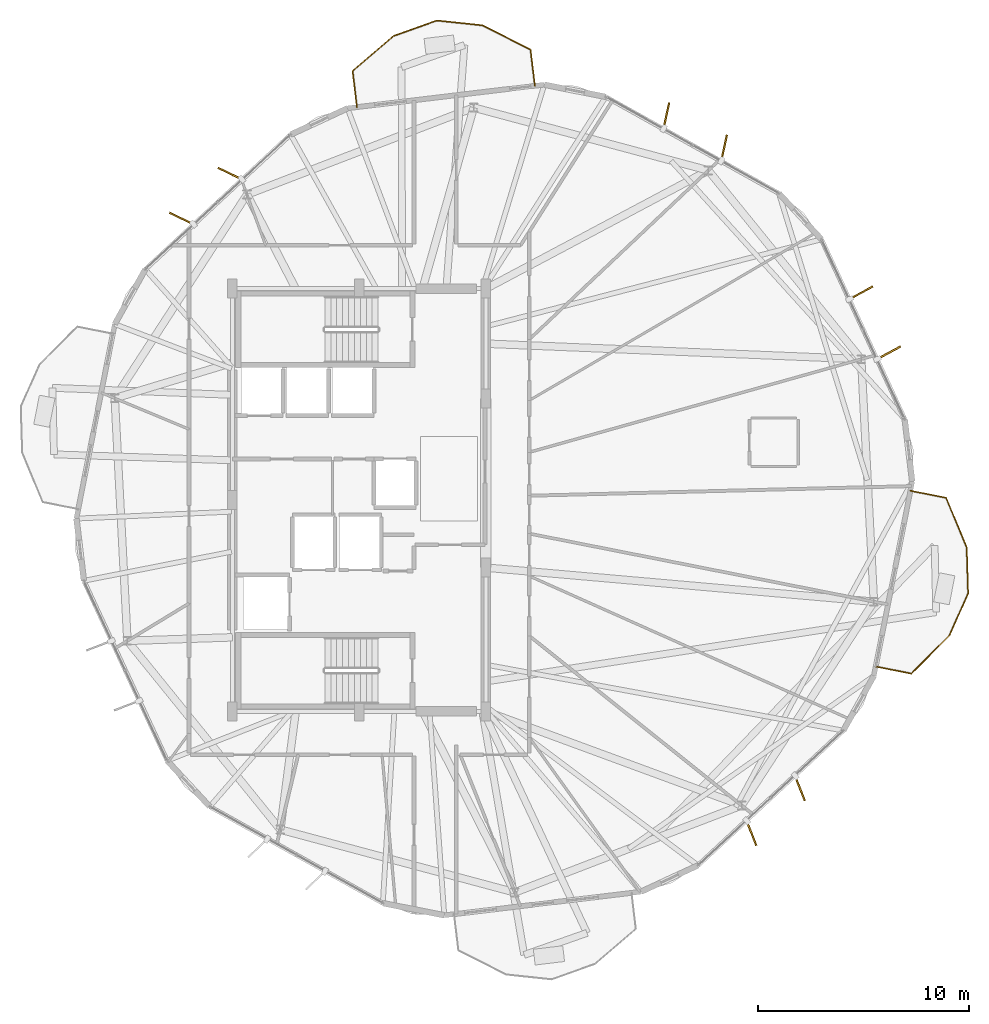
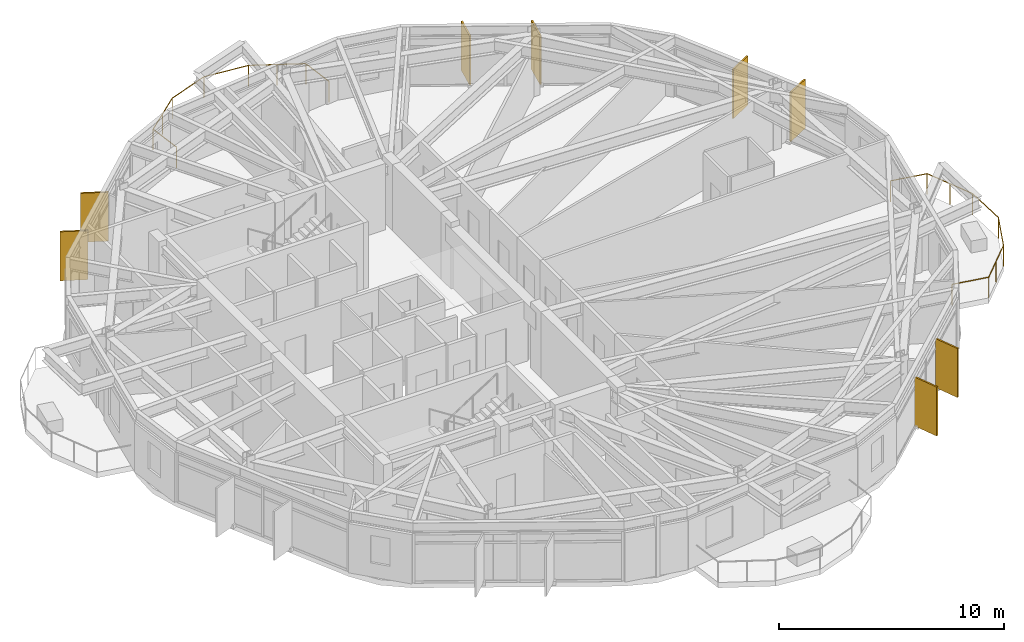
# One storey, part 25 of 25: 8 shading devices, 2 railings.
"""IFC4 building model written with IfcOpenShell, lengths in metres."""

from ifc_helpers import new_model, si_unit, direction, frame, origin, origin_2d, place, context, subcontext, project, spatial, rectangle, circle, extrude, material, layer, layer_set, type_object, element, save


model = new_model("IFC4")

# Units and contexts
model_context = context("Model", 3, precision=1e-05, world=origin(), true_north=direction((0.0, 1.0)))
body_context = subcontext(model_context, "Body", "Model", "MODEL_VIEW")
ifc_project = project(units=[si_unit("LENGTHUNIT", "METRE"), si_unit("AREAUNIT", "SQUARE_METRE"), si_unit("VOLUMEUNIT", "CUBIC_METRE"), si_unit("PLANEANGLEUNIT", "RADIAN"), si_unit("MASSUNIT", "GRAM", prefix="KILO")], contexts=[model_context])

# Site, building, storey
site_placement = place(None, origin())
site = spatial("IfcSite", under=ifc_project, at=site_placement, CompositionType="ELEMENT")
building_placement = place(site_placement, origin())
building = spatial("IfcBuilding", under=site, at=building_placement, Name="Soratama Intermodal Tower", CompositionType="ELEMENT")
storey_placement = place(building_placement, frame((0.0, 0.0, 190.60009765625)))
storey = spatial("IfcBuildingStorey", under=building, at=storey_placement, Name="L47", CompositionType="ELEMENT", Elevation=190.60009765625)

# Railings
ifc_material_1 = material(Name="Laminated glass and stainless steel balustrade", Category="steel")
railing_type = type_object("IfcRailingType", Name="RL-BAL-1150", PredefinedType="BALUSTRADE", material=ifc_material_1)
railing_1_placement = place(storey_placement, frame((64.69482421875, 25.4375, 0.0)))
element("IfcRailing", 1, at=railing_1_placement, inside=storey, type_object=railing_type, Name="L47 Balcony Balustrade 1", PredefinedType="BALUSTRADE", context=body_context, shape_type="SweptSolid", body=[
    extrude(circle(Radius=0.02392578125, at=origin_2d()), frame((0.0, 0.0, 1.1259765625), z_axis=(0.981079704453, -0.193604270381, 0.0), x_axis=(0.193604270381, 0.981079704453, 0.0)), (0.0, 0.0, 1.0), 1.719970703125),
    extrude(circle(Radius=0.02392578125, at=origin_2d()), frame((1.6875, -0.3330078125, 1.1259765625), z_axis=(0.383642767402, -0.923481579145, 0.0), x_axis=(0.923481579145, 0.383642767402, 0.0)), (0.0, 0.0, 1.0), 2.54931640625),
    extrude(circle(Radius=0.02392578125, at=origin_2d()), frame((2.66552734375, -2.687255859375, 1.1259765625), z_axis=(0.029966325248, -0.999550908834, 0.0), x_axis=(0.999550908834, 0.029966325248, 0.0)), (0.0, 0.0, 1.0), 2.17529296875),
    extrude(circle(Radius=0.02392578125, at=origin_2d()), frame((2.730712890625, -4.861572265625, 1.1259765625), z_axis=(-0.407408513324, -0.913246025598, 0.0), x_axis=(0.913246025598, -0.407408513324, 0.0)), (0.0, 0.0, 1.0), 2.17529296875),
    extrude(circle(Radius=0.02392578125, at=origin_2d()), frame((1.844482421875, -6.84814453125, 1.1259765625), z_axis=(-0.705572932401, -0.708637309957, 0.0), x_axis=(0.708637309957, -0.705572932401, 0.0)), (0.0, 0.0, 1.0), 2.549560546875),
    extrude(circle(Radius=0.02392578125, at=origin_2d()), frame((0.045654296875, -8.65478515625, 1.1259765625), z_axis=(-0.981079704453, 0.193604270381, 0.0), x_axis=(-0.193604270381, -0.981079704453, 0.0)), (0.0, 0.0, 1.0), 1.719970703125),
    extrude(circle(Radius=0.02099609375, at=origin_2d()), origin(), (0.0, 0.0, 1.0), 1.101806640625),
    extrude(circle(Radius=0.02099609375, at=origin_2d()), frame((1.6875, -0.3330078125, 0.0)), (0.0, 0.0, 1.0), 1.101806640625),
    extrude(circle(Radius=0.02099609375, at=origin_2d()), frame((2.176513671875, -1.51025390625, 0.0)), (0.0, 0.0, 1.0), 1.101806640625),
    extrude(circle(Radius=0.02099609375, at=origin_2d()), frame((2.66552734375, -2.687255859375, 0.0)), (0.0, 0.0, 1.0), 1.101806640625),
    extrude(circle(Radius=0.02099609375, at=origin_2d()), frame((2.730712890625, -4.861572265625, 0.0)), (0.0, 0.0, 1.0), 1.101806640625),
    extrude(circle(Radius=0.02099609375, at=origin_2d()), frame((1.844482421875, -6.84814453125, 0.0)), (0.0, 0.0, 1.0), 1.101806640625),
    extrude(circle(Radius=0.02099609375, at=origin_2d()), frame((0.945068359375, -7.75146484375, 0.0)), (0.0, 0.0, 1.0), 1.101806640625),
    extrude(circle(Radius=0.02099609375, at=origin_2d()), frame((0.045654296875, -8.65478515625, 0.0)), (0.0, 0.0, 1.0), 1.101806640625),
    extrude(circle(Radius=0.02099609375, at=origin_2d()), frame((-1.641845703125, -8.32177734375, 0.0)), (0.0, 0.0, 1.0), 1.101806640625),
])
railing_2_placement = place(storey_placement, frame((38.497802734375, 43.595703125, 0.0)))
element("IfcRailing", 2, at=railing_2_placement, inside=storey, type_object=railing_type, Name="L47 Balcony Balustrade 2", PredefinedType="BALUSTRADE", context=body_context, shape_type="SweptSolid", body=[
    extrude(circle(Radius=0.02392578125, at=origin_2d()), frame((0.0, 0.0, 1.1259765625), z_axis=(-0.11908924965, 0.992883553403, 0.0), x_axis=(-0.992883553403, -0.11908924965, 0.0)), (0.0, 0.0, 1.0), 1.719970703125),
    extrude(circle(Radius=0.02392578125, at=origin_2d()), frame((-0.204833984375, 1.707763671875, 1.1259765625), z_axis=(0.759756581128, 0.650207611023, 0.0), x_axis=(-0.650207611023, 0.759756581128, 0.0)), (0.0, 0.0, 1.0), 2.549560546875),
    extrude(circle(Radius=0.02392578125, at=origin_2d()), frame((1.732177734375, 3.365478515625, 1.1259765625), z_axis=(0.941362947632, 0.337395614711, 0.0), x_axis=(-0.337395614711, 0.941362947632, 0.0)), (0.0, 0.0, 1.0), 2.175048828125),
    extrude(circle(Radius=0.02392578125, at=origin_2d()), frame((3.77978515625, 4.099365234375, 1.1259765625), z_axis=(0.994455529397, -0.105157976644, 0.0), x_axis=(0.105157976644, 0.994455529397, 0.0)), (0.0, 0.0, 1.0), 2.17529296875),
    extrude(circle(Radius=0.02392578125, at=origin_2d()), frame((5.943115234375, 3.87060546875, 1.1259765625), z_axis=(0.891962148261, -0.452110081806, 0.0), x_axis=(0.452110081806, 0.891962148261, 0.0)), (0.0, 0.0, 1.0), 2.54931640625),
    extrude(circle(Radius=0.02392578125, at=origin_2d()), frame((8.217041015625, 2.718017578125, 1.1259765625), z_axis=(0.11908924965, -0.992883553403, 0.0), x_axis=(0.992883553403, 0.11908924965, 0.0)), (0.0, 0.0, 1.0), 1.719970703125),
    extrude(circle(Radius=0.02099609375, at=origin_2d()), origin(), (0.0, 0.0, 1.0), 1.101806640625),
    extrude(circle(Radius=0.02099609375, at=origin_2d()), frame((-0.204833984375, 1.707763671875, 0.0)), (0.0, 0.0, 1.0), 1.101806640625),
    extrude(circle(Radius=0.02099609375, at=origin_2d()), frame((0.763671875, 2.53662109375, 0.0)), (0.0, 0.0, 1.0), 1.101806640625),
    extrude(circle(Radius=0.02099609375, at=origin_2d()), frame((1.732177734375, 3.365478515625, 0.0)), (0.0, 0.0, 1.0), 1.101806640625),
    extrude(circle(Radius=0.02099609375, at=origin_2d()), frame((3.77978515625, 4.099365234375, 0.0)), (0.0, 0.0, 1.0), 1.101806640625),
    extrude(circle(Radius=0.02099609375, at=origin_2d()), frame((5.943115234375, 3.87060546875, 0.0)), (0.0, 0.0, 1.0), 1.101806640625),
    extrude(circle(Radius=0.02099609375, at=origin_2d()), frame((7.080078125, 3.29443359375, 0.0)), (0.0, 0.0, 1.0), 1.101806640625),
    extrude(circle(Radius=0.02099609375, at=origin_2d()), frame((8.217041015625, 2.718017578125, 0.0)), (0.0, 0.0, 1.0), 1.101806640625),
    extrude(circle(Radius=0.02099609375, at=origin_2d()), frame((8.421875, 1.01025390625, 0.0)), (0.0, 0.0, 1.0), 1.101806640625),
])

# Shading devices
ifc_material_2 = material(Name="Champagne anodised aluminium solar fin", Category="aluminium")
ifc_layer = layer(ifc_material_2, 0.080078125)
ifc_layer_set = layer_set([ifc_layer], Name="Champagne anodised aluminium solar fin")
shading_device_type = type_object("IfcShadingDeviceType", Name="SH-FIN-1250", PredefinedType="USERDEFINED", material=ifc_layer_set)
for number, where, z_axis, x_axis, name in (
    (3, (55.875244140625, 41.668212890625, 0.02001953125), (0.0, 0.0, 1.0), (0.211154201982, 0.977452762534, 0.0), "L47 Solar Fin F01-1"),
    (4, (53.144287109375, 43.19189453125, 0.02001953125), (0.0, 0.0, 1.0), (0.211154201982, 0.977452762534, 0.0), "L47 Solar Fin F01-2"),
    (5, (32.485107421875, 40.449951171875, 0.02001953125), (0.0, 0.0, 1.0), (-0.900470640862, 0.434916802325, 0.0), "L47 Solar Fin F03-1"),
    (6, (30.19189453125, 38.323486328125, 0.02001953125), (0.0, 0.0, 1.0), (-0.900470640862, 0.434916802325, 0.0), "L47 Solar Fin F03-2"),
    (7, (57.170166015625, 9.230224609375, 0.02001953125), (0.0, 0.0, 1.0), (0.365851583464, -0.930673207349, 0.0), "L47 Solar Fin F08-1"),
    (8, (59.46337890625, 11.356689453125, 0.02001953125), (0.0, 0.0, 1.0), (0.365851583464, -0.930673207349, 0.0), "L47 Solar Fin F08-2"),
    (9, (63.68115234375, 31.97119140625, 0.02001953125), (0.0, 0.0, 1.0), (0.878066509545, 0.478538613714, 0.0), "L47 Solar Fin F10-1"),
    (10, (62.367431640625, 34.80908203125, 0.02001953125), (0.0, 0.0, 1.0), (0.878066509545, 0.478538613714, 0.0), "L47 Solar Fin F10-2"),
):
    element("IfcShadingDevice", number, at=place(storey_placement, frame(where, z_axis=z_axis, x_axis=x_axis)), inside=storey, type_object=shading_device_type, Name=name, ObjectType="FIN", PredefinedType="USERDEFINED", context=body_context, shape_type="SweptSolid", body=[
        extrude(rectangle(XDim=1.25, YDim=0.080078125, at=origin_2d()), origin(), (0.0, 0.0, 1.0), 2.658935546875),
    ])

save(model, "model.ifc")
